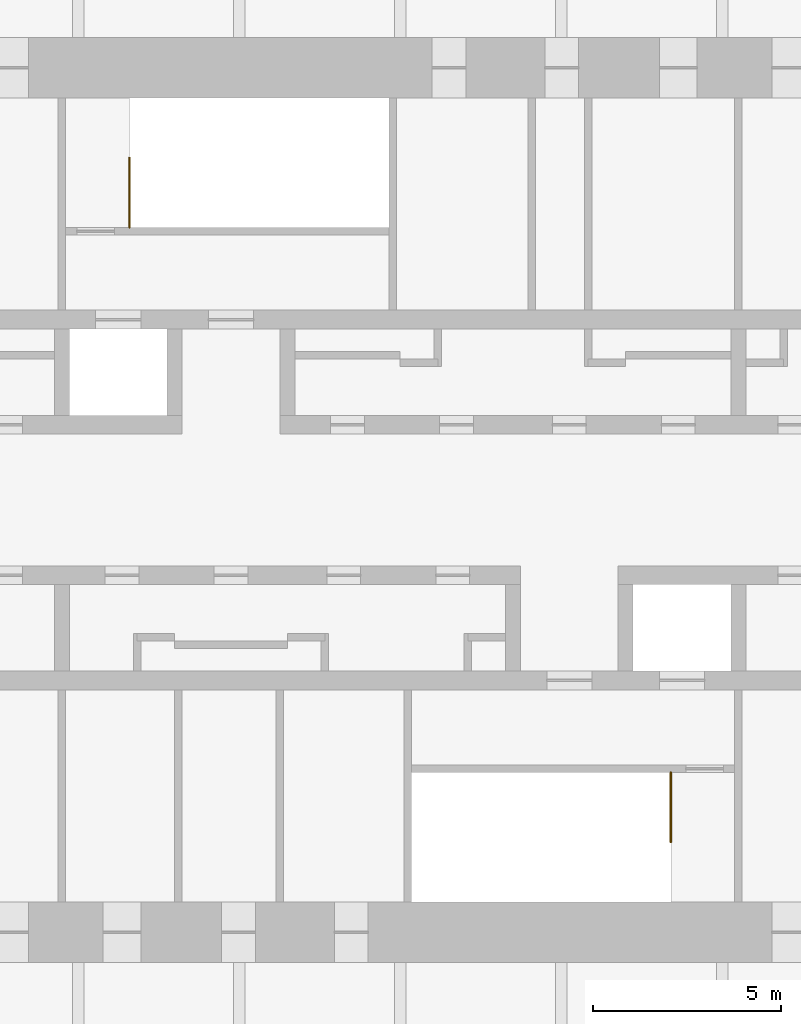
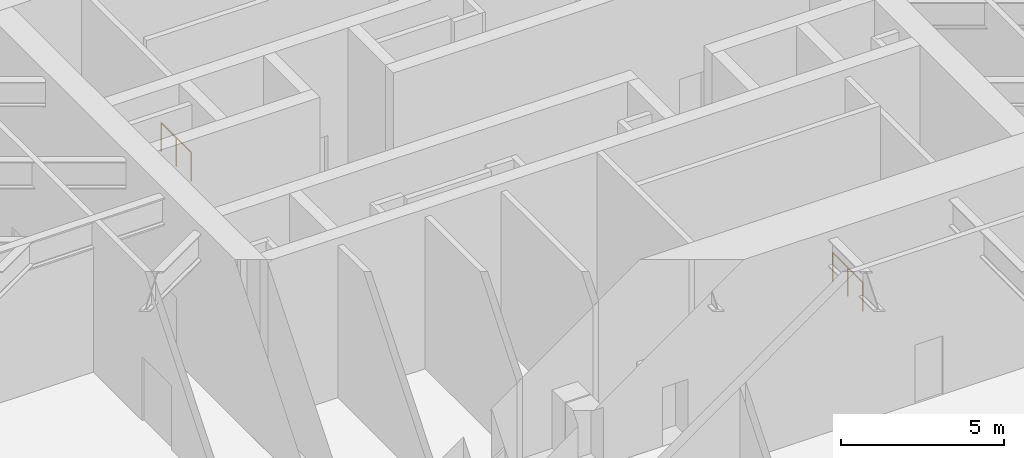
# One storey, part 17 of 17: 2 railings.
"""IFC4 building model written with IfcOpenShell, lengths in metres."""

from ifc_helpers import new_model, si_unit, direction, frame, origin, origin_with_axes, origin_2d, place, context, subcontext, project, spatial, circle, extrude, material, type_object, element, save


model = new_model("IFC4")

# Units and contexts
model_context = context("Model", 3, precision=1e-05, world=origin(), true_north=direction((0.0, 1.0)))
body_context = subcontext(model_context, "Body", "Model", "MODEL_VIEW")
ifc_project = project(units=[si_unit("LENGTHUNIT", "METRE"), si_unit("AREAUNIT", "SQUARE_METRE"), si_unit("VOLUMEUNIT", "CUBIC_METRE"), si_unit("PLANEANGLEUNIT", "RADIAN"), si_unit("MASSUNIT", "GRAM", prefix="KILO")], contexts=[model_context])

# Site, building, storey
site_placement = place(None, origin())
site = spatial("IfcSite", under=ifc_project, at=site_placement, CompositionType="ELEMENT")
building_placement = place(site_placement, origin())
building = spatial("IfcBuilding", under=site, at=building_placement, Name="Tarfa Lantern Tower", CompositionType="ELEMENT")
storey_placement = place(building_placement, frame((0.0, 0.0, 402.300048828125)))
storey = spatial("IfcBuildingStorey", under=building, at=storey_placement, Name="L91", CompositionType="ELEMENT", Elevation=402.300048828125)

# Railings
ifc_material = material(Name="Stainless steel", Category="steel")
railing_type = type_object("IfcRailingType", Name="GR3 STAIR WELL GUARD 1100", PredefinedType="GUARDRAIL", material=ifc_material)
railing_1_placement = place(storey_placement, frame((-7.199951171875, 7.25, 0.0)))
element("IfcRailing", 1, at=railing_1_placement, inside=storey, type_object=railing_type, Name="Stair ST1 well guard", PredefinedType="GUARDRAIL", context=body_context, shape_type="SweptSolid", body=[
    extrude(circle(Radius=0.02392578125, at=origin_2d()), frame((0.0, 0.0, 1.076171875), z_axis=(0.0, 1.0, 0.0), x_axis=(-1.0, 0.0, 0.0)), (0.0, 0.0, 1.0), 1.85009765625),
    extrude(circle(Radius=0.02099609375, at=origin_2d()), frame((0.0, 0.0, 0.0), z_axis=(0.0, 0.0, 1.0), x_axis=(-1.0, 0.0, 0.0)), (0.0, 0.0, 1.0), 1.052001953125),
    extrude(circle(Radius=0.02099609375, at=origin_2d()), frame((0.0, 0.925048828125, 0.0), z_axis=(0.0, 0.0, 1.0), x_axis=(-1.0, 0.0, 0.0)), (0.0, 0.0, 1.0), 1.052001953125),
    extrude(circle(Radius=0.02099609375, at=origin_2d()), frame((0.0, 1.85009765625, 0.0), z_axis=(0.0, 0.0, 1.0), x_axis=(-1.0, 0.0, 0.0)), (0.0, 0.0, 1.0), 1.052001953125),
])
railing_2_placement = place(storey_placement, frame((7.199951171875, -7.25, 0.0)))
element("IfcRailing", 2, at=railing_2_placement, inside=storey, type_object=railing_type, Name="Stair ST2 well guard", PredefinedType="GUARDRAIL", context=body_context, shape_type="SweptSolid", body=[
    extrude(circle(Radius=0.02392578125, at=origin_2d()), frame((0.0, 0.0, 1.076171875), z_axis=(0.0, -1.0, 0.0), x_axis=(1.0, 0.0, 0.0)), (0.0, 0.0, 1.0), 1.85009765625),
    extrude(circle(Radius=0.02099609375, at=origin_2d()), origin_with_axes(), (0.0, 0.0, 1.0), 1.052001953125),
    extrude(circle(Radius=0.02099609375, at=origin_2d()), frame((0.0, -0.925048828125, 0.0), z_axis=(0.0, 0.0, 1.0), x_axis=(1.0, 0.0, 0.0)), (0.0, 0.0, 1.0), 1.052001953125),
    extrude(circle(Radius=0.02099609375, at=origin_2d()), frame((0.0, -1.85009765625, 0.0), z_axis=(0.0, 0.0, 1.0), x_axis=(1.0, 0.0, 0.0)), (0.0, 0.0, 1.0), 1.052001953125),
])

save(model, "model.ifc")
